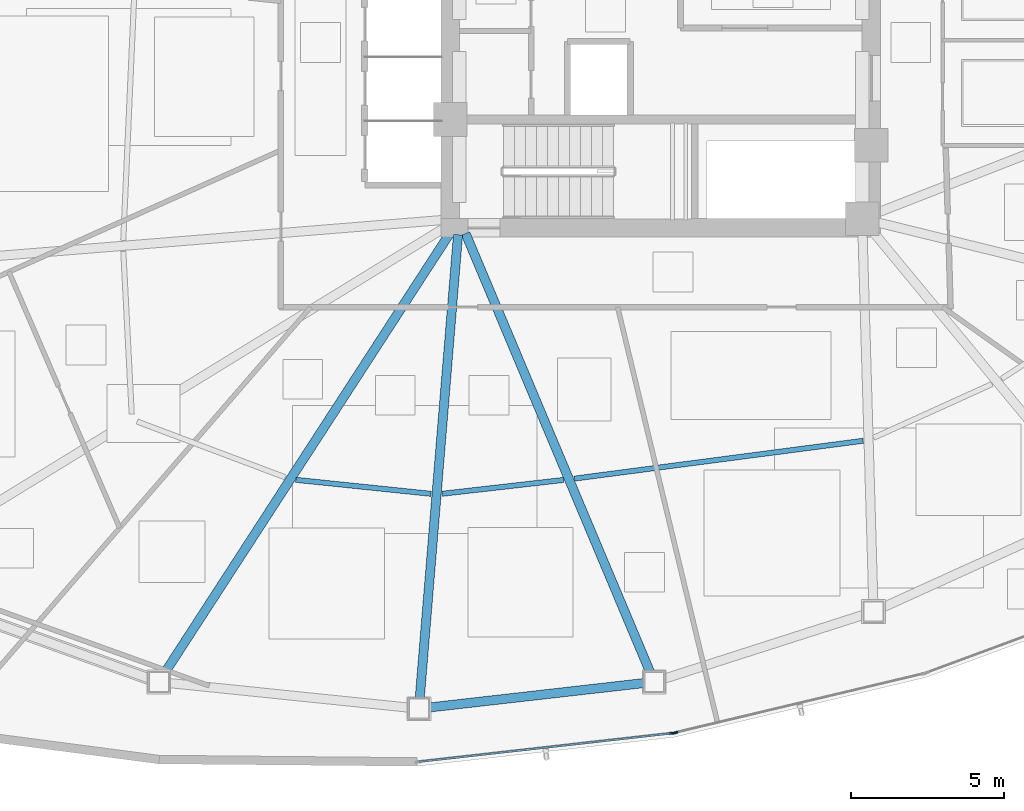
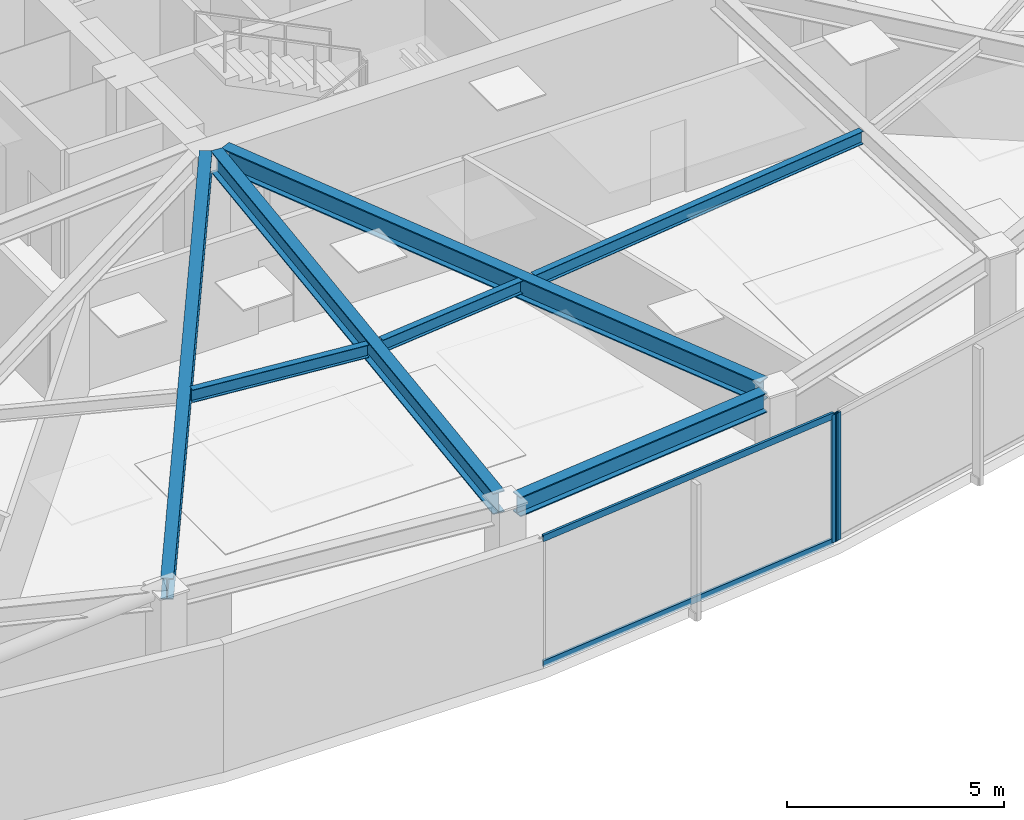
# One storey, part 3 of 17: 7 beams, 4 members, 2 elements without a shape of their own.
"""IFC4 building model written with IfcOpenShell, lengths in metres."""

from ifc_helpers import new_model, si_unit, direction, frame, origin, origin_2d, place, context, subcontext, project, spatial, hollow_rectangle, i_section, extrude, source, transform, mapped, material, layer, layer_set, material_profile, profile_set, type_object, type_shapes, element, aggregate, save


model = new_model("IFC4")

# Units and contexts
model_context = context("Model", 3, precision=1e-05, world=origin(), true_north=direction((0.0, 1.0)))
body_context = subcontext(model_context, "Body", "Model", "MODEL_VIEW")
ifc_project = project(units=[si_unit("LENGTHUNIT", "METRE"), si_unit("AREAUNIT", "SQUARE_METRE"), si_unit("VOLUMEUNIT", "CUBIC_METRE"), si_unit("PLANEANGLEUNIT", "RADIAN"), si_unit("MASSUNIT", "GRAM", prefix="KILO")], contexts=[model_context])

# Site, building, storey
site_placement = place(None, origin())
site = spatial("IfcSite", under=ifc_project, at=site_placement, CompositionType="ELEMENT")
building_placement = place(site_placement, origin())
building = spatial("IfcBuilding", under=site, at=building_placement, Name="Tavelor Broadcast Tower", CompositionType="ELEMENT")
storey_placement = place(building_placement, frame((0.0, 0.0, 66.60009765625)))
storey = spatial("IfcBuildingStorey", under=building, at=storey_placement, Name="L15", CompositionType="ELEMENT", Elevation=66.60009765625)

# Beams
ifc_material_1 = material(Name="Steel S355", Category="steel")
ifc_material_profile_1 = material_profile(ifc_material_1, i_section(OverallWidth=0.169921875, OverallDepth=0.360107421875, WebThickness=0.008056640625, FlangeThickness=0.0126953125, at=origin_2d()), Name="IPE 360")
ifc_profile_set_1 = profile_set([ifc_material_profile_1], Name="Steel S355")
beam_type_1 = type_object("IfcBeamType", Name="Composite Floor Joist T2 IPE 360", PredefinedType="JOIST", material=ifc_profile_set_1)
beam_1_placement = place(storey_placement, frame((38.04052734375, 30.240966796875, 3.419921875), z_axis=(0.99467108558, -0.103099134387, 0.0), x_axis=(0.103099134387, 0.99467108558, 0.0)))
element("IfcBeam", 1, at=beam_1_placement, inside=storey, type_object=beam_type_1, Name="L15 Secondary Composite Floor Joist 08", PredefinedType="JOIST", context=body_context, shape_type="SweptSolid", body=[
    extrude(i_section(OverallWidth=0.169921875, OverallDepth=0.360107421875, WebThickness=0.008056640625, FlangeThickness=0.0126953125, at=origin_2d()), origin(), (0.0, 0.0, 1.0), 4.45654296875),
])
beam_2_placement = place(storey_placement, frame((42.833251953125, 29.783203125, 3.419921875), z_axis=(0.993569155888, 0.113226906995, 0.0), x_axis=(-0.113226906995, 0.993569155888, 0.0)))
element("IfcBeam", 2, at=beam_2_placement, inside=storey, type_object=beam_type_1, Name="L15 Secondary Composite Floor Joist 09", PredefinedType="JOIST", context=body_context, shape_type="SweptSolid", body=[
    extrude(i_section(OverallWidth=0.169921875, OverallDepth=0.360107421875, WebThickness=0.008056640625, FlangeThickness=0.0126953125, at=origin_2d()), origin(), (0.0, 0.0, 1.0), 4.00634765625),
])
beam_3_placement = place(storey_placement, frame((47.173095703125, 30.281005859375, 3.419921875), z_axis=(0.991523318151, 0.129928863469, 0.0), x_axis=(-0.129928863469, 0.991523318151, 0.0)))
element("IfcBeam", 3, at=beam_3_placement, inside=storey, type_object=beam_type_1, Name="L15 Secondary Composite Floor Joist 10", PredefinedType="JOIST", context=body_context, shape_type="SweptSolid", body=[
    extrude(i_section(OverallWidth=0.169921875, OverallDepth=0.360107421875, WebThickness=0.008056640625, FlangeThickness=0.0126953125, at=origin_2d()), origin(), (0.0, 0.0, 1.0), 9.539794921875),
])
ifc_material_profile_2 = material_profile(ifc_material_1, i_section(OverallWidth=0.300048828125, OverallDepth=0.550048828125, WebThickness=0.014892578125, FlangeThickness=0.029052734375, at=origin_2d()), Name="HEB 550")
ifc_profile_set_2 = profile_set([ifc_material_profile_2], Name="Steel S355")
beam_type_2 = type_object("IfcBeamType", Name="Perimeter Spandrel Beam T2 HEB 550", PredefinedType="SPANDREL", material=ifc_profile_set_2)
beam_4_placement = place(storey_placement, frame((42.406982421875, 22.778564453125, 3.324951171875), z_axis=(0.993591905029, 0.113027104096, 0.0), x_axis=(-0.113027104096, 0.993591905029, 0.0)))
element("IfcBeam", 4, at=beam_4_placement, inside=storey, type_object=beam_type_2, Name="L15 Framed-Tube Ring Spandrel 09", PredefinedType="SPANDREL", context=body_context, shape_type="SweptSolid", body=[
    extrude(i_section(OverallWidth=0.300048828125, OverallDepth=0.550048828125, WebThickness=0.014892578125, FlangeThickness=0.029052734375, at=origin_2d()), origin(), (0.0, 0.0, 1.0), 7.09130859375),
])
ifc_material_profile_3 = material_profile(ifc_material_1, i_section(OverallWidth=0.300048828125, OverallDepth=0.60009765625, WebThickness=0.015380859375, FlangeThickness=0.030029296875, at=origin_2d()), Name="HEB 600")
ifc_profile_set_3 = profile_set([ifc_material_profile_3], Name="Steel S355")
beam_type_3 = type_object("IfcBeamType", Name="Radial Floor Girder T2 HEB 600", PredefinedType="BEAM", material=ifc_profile_set_3)
beam_5_placement = place(storey_placement, frame((43.11279296875, 38.35693359375, 3.2998046875), z_axis=(-0.544192452451, -0.838960413068, 0.0), x_axis=(0.838960413068, -0.544192452451, 0.0)))
element("IfcBeam", 5, at=beam_5_placement, inside=storey, type_object=beam_type_3, Name="L15 Radial Primary Floor Girder 08", PredefinedType="BEAM", context=body_context, shape_type="SweptSolid", body=[
    extrude(i_section(OverallWidth=0.300048828125, OverallDepth=0.60009765625, WebThickness=0.015380859375, FlangeThickness=0.030029296875, at=origin_2d()), origin(), (0.0, 0.0, 1.0), 17.235107421875),
])
beam_6_placement = place(storey_placement, frame((43.3564453125, 38.273681640625, 3.2998046875), z_axis=(-0.082335312762, -0.996604684051, 0.0), x_axis=(0.996604684051, -0.082335312762, 0.0)))
element("IfcBeam", 6, at=beam_6_placement, inside=storey, type_object=beam_type_3, Name="L15 Radial Primary Floor Girder 09", PredefinedType="BEAM", context=body_context, shape_type="SweptSolid", body=[
    extrude(i_section(OverallWidth=0.300048828125, OverallDepth=0.60009765625, WebThickness=0.015380859375, FlangeThickness=0.030029296875, at=origin_2d()), origin(), (0.0, 0.0, 1.0), 15.25),
])
beam_7_placement = place(storey_placement, frame((43.604736328125, 38.313232421875, 3.2998046875), z_axis=(0.387755556571, -0.921762240683, 0.0), x_axis=(0.921762240683, 0.387755556571, 0.0)))
element("IfcBeam", 7, at=beam_7_placement, inside=storey, type_object=beam_type_3, Name="L15 Radial Primary Floor Girder 10", PredefinedType="BEAM", context=body_context, shape_type="SweptSolid", body=[
    extrude(i_section(OverallWidth=0.300048828125, OverallDepth=0.60009765625, WebThickness=0.015380859375, FlangeThickness=0.030029296875, at=origin_2d()), origin(), (0.0, 0.0, 1.0), 15.6064453125),
])

# Curtain wall, member
ifc_material_2 = material(Name="Architectural Anodized Aluminium", Category="aluminium")
ifc_layer = layer(ifc_material_2, 0.179931640625)
ifc_layer_set = layer_set([ifc_layer], Name="Architectural Anodized Aluminium")
curtain_wall_type = type_object("IfcCurtainWallType", Name="Tower Low-Zone Unitised Curtain Wall CW02", PredefinedType="NOTDEFINED", material=ifc_layer_set)
curtain_wall_1_placement = place(storey_placement, origin())
curtain_wall_1 = element("IfcCurtainWall", 8, at=curtain_wall_1_placement, inside=storey, type_object=curtain_wall_type, Name="L15 Curtain Wall CW02 Run 137", PredefinedType="NOTDEFINED")
ifc_material_profile_4 = material_profile(ifc_material_2, hollow_rectangle(XDim=0.06494140625, YDim=0.179931640625, WallThickness=0.02197265625, at=origin_2d()), Name="RHS 65x180x22")
ifc_profile_set_4 = profile_set([ifc_material_profile_4], Name="Architectural Anodized Aluminium")
member_type_1 = type_object("IfcMemberType", Name="CW02 Extruded Aluminium Mullion 65x180", PredefinedType="MULLION", material=ifc_profile_set_4)
shared_shape_1 = source(origin(), body_context, "Body", "SweptSolid", [
    extrude(hollow_rectangle(XDim=0.06494140625, YDim=0.179931640625, WallThickness=0.02197265625, at=origin_2d()), origin(), (0.0, 0.0, 1.0), 3.599853515625),
])
type_shapes(member_type_1, [shared_shape_1])
member_1_placement = place(storey_placement, frame((50.377197265625, 21.936279296875, 0.0), z_axis=(0.0, 0.0, 1.0), x_axis=(-0.111886066649, 0.993721041384, 0.0)))
member_1 = element("IfcMember", 9, at=member_1_placement, type_object=member_type_1, Name="CW02 mullion 2", PredefinedType="MULLION", context=body_context, shape_type="MappedRepresentation", body=[
    mapped(shared_shape_1, transform((0.0, 0.0, 0.0), scale=1.0)),
])

curtain_wall_2_placement = place(storey_placement, origin())
curtain_wall_2 = element("IfcCurtainWall", 10, at=curtain_wall_2_placement, inside=storey, type_object=curtain_wall_type, Name="L15 Curtain Wall CW02 Run 138", PredefinedType="NOTDEFINED")
member_2_placement = place(storey_placement, frame((50.470458984375, 21.95263671875, 0.0), z_axis=(0.0, 0.0, 1.0), x_axis=(-0.23134005508, 0.972872951066, 0.0)))
member_2 = element("IfcMember", 11, at=member_2_placement, type_object=member_type_1, Name="CW02 mullion 1", PredefinedType="MULLION", context=body_context, shape_type="MappedRepresentation", body=[
    mapped(shared_shape_1, transform((0.0, 0.0, 0.0), scale=1.0)),
])
aggregate(curtain_wall_2, [member_2])

# Member
ifc_material_profile_5 = material_profile(ifc_material_2, hollow_rectangle(XDim=0.06494140625, YDim=0.179931640625, WallThickness=0.02197265625, at=origin_2d()), Name="RHS 65x180x22")
ifc_profile_set_5 = profile_set([ifc_material_profile_5], Name="Architectural Anodized Aluminium")
member_type_2 = type_object("IfcMemberType", Name="CW02 Extruded Aluminium Transom 65x180", PredefinedType="USERDEFINED", material=ifc_profile_set_5)
shared_shape_2 = source(origin(), body_context, "Body", "SweptSolid", [
    extrude(hollow_rectangle(XDim=0.06494140625, YDim=0.179931640625, WallThickness=0.02197265625, at=origin_2d()), origin(), (0.0, 0.0, 1.0), 8.320556640625),
])
type_shapes(member_type_2, [shared_shape_2])
member_3_placement = place(storey_placement, frame((42.076416015625, 21.001708984375, 0.032470703125), z_axis=(0.993721655571, 0.111880611589, 0.0), x_axis=(-0.111880611589, 0.993721655571, 0.0)))
member_3 = element("IfcMember", 12, at=member_3_placement, type_object=member_type_2, Name="CW02 transom 1.1", ObjectType="TRANSOM", PredefinedType="USERDEFINED", context=body_context, shape_type="MappedRepresentation", body=[
    mapped(shared_shape_2, transform((0.0, 0.0, 0.0), scale=1.0)),
])

member_4_placement = place(storey_placement, frame((42.076416015625, 21.001708984375, 3.5673828125), z_axis=(0.993721655571, 0.111880611589, 0.0), x_axis=(-0.111880611589, 0.993721655571, 0.0)))
member_4 = element("IfcMember", 13, at=member_4_placement, type_object=member_type_2, Name="CW02 transom 1.2", ObjectType="TRANSOM", PredefinedType="USERDEFINED", context=body_context, shape_type="MappedRepresentation", body=[
    mapped(shared_shape_2, transform((0.0, 0.0, 0.0), scale=1.0)),
])

aggregate(curtain_wall_1, [member_1, member_3, member_4])

save(model, "model.ifc")
